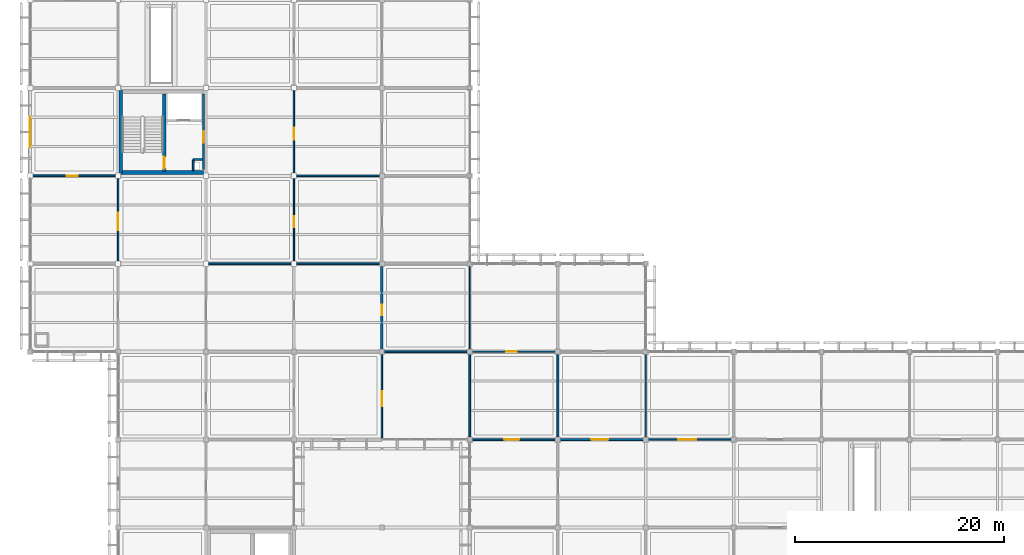
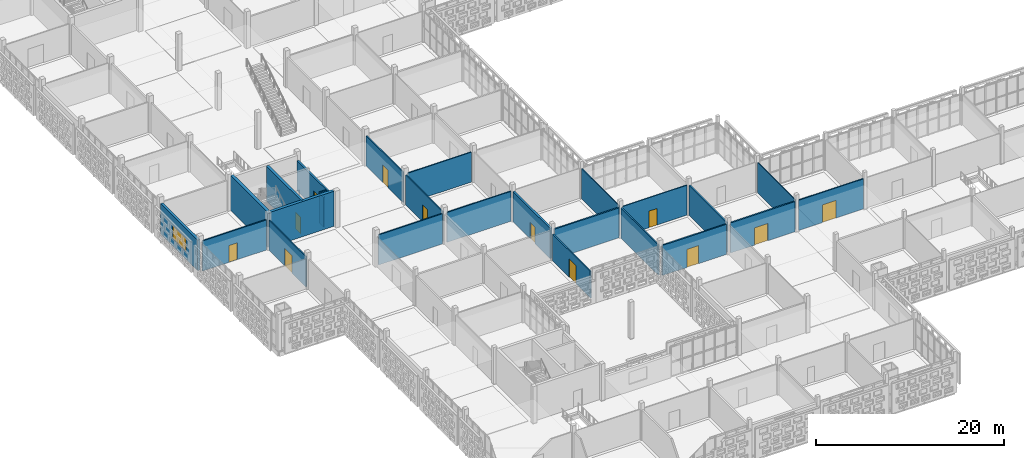
# One storey, part 115 of 203: 25 walls, 12 doors, 1 window, 13 openings.
"""IFC4 building model written with IfcOpenShell, lengths in metres."""

from ifc_helpers import new_model, si_unit, direction, frame, frame_2d, origin, place, context, subcontext, project, spatial, rectangle, extrude, material, layer, layer_set, type_object, element, fill, save


model = new_model("IFC4")

# Units and contexts
model_context = context("Model", 3, precision=1e-05, world=origin(), true_north=direction((0.0, 1.0)))
body_context = subcontext(model_context, "Body", "Model", "MODEL_VIEW")
ifc_project = project(units=[si_unit("LENGTHUNIT", "METRE"), si_unit("AREAUNIT", "SQUARE_METRE"), si_unit("VOLUMEUNIT", "CUBIC_METRE"), si_unit("PLANEANGLEUNIT", "RADIAN"), si_unit("MASSUNIT", "GRAM", prefix="KILO")], contexts=[model_context])

# Site, building, storey
site_placement = place(None, origin())
site = spatial("IfcSite", under=ifc_project, at=site_placement, CompositionType="ELEMENT")
building_placement = place(site_placement, origin())
building = spatial("IfcBuilding", under=site, at=building_placement, Name="Varnapada Polytechnic", CompositionType="ELEMENT")
storey_placement = place(building_placement, frame((0.0, 0.0, 4.800048828125)))
storey = spatial("IfcBuildingStorey", under=building, at=storey_placement, Name="L01", CompositionType="ELEMENT", Elevation=4.800048828125)

# Wall, opening, door
ifc_material_1 = material(Name="Autoclaved Aerated Concrete Block AAC-600", Category="concrete")
ifc_layer_1 = layer(ifc_material_1, 0.199951171875)
ifc_layer_set_1 = layer_set([ifc_layer_1], Name="Autoclaved Aerated Concrete Block AAC-600")
wall_type_1 = type_object("IfcWallType", Name="Interior Wall IW-01", PredefinedType="PARTITIONING", material=ifc_layer_set_1)
wall_1_placement = place(storey_placement, frame((16.5400390625, 66.60009765625, 0.0), z_axis=(0.0, 0.0, 1.0), x_axis=(0.0, -1.0, 0.0)))
wall_1 = element("IfcWall", 1, at=wall_1_placement, inside=storey, type_object=wall_type_1, Name="L01 C2 firefighting lobby east wall", PredefinedType="PARTITIONING", context=body_context, shape_type="SweptSolid", body=[
    extrude(rectangle(XDim=7.2001953125, YDim=0.199951171875, at=frame_2d((3.60009765625, 0.0))), origin(), (0.0, 0.0, 1.0), 3.919921875),
])
opening_1_placement = place(wall_1_placement, frame((3.550048828125, 0.0, 0.0)))
opening_1 = element("IfcOpeningElement", 2, at=opening_1_placement, cuts=wall_1, Name="Opening D-945", PredefinedType="OPENING", context=body_context, shape_type="SweptSolid", body=[
    extrude(rectangle(XDim=1.10009765625, YDim=2.14990234375, at=frame_2d((0.550048828125, 1.074951171875))), frame((0.0, 0.10986328125, 0.0), z_axis=(0.0, -1.0, 0.0), x_axis=(1.0, 0.0, 0.0)), (0.0, 0.0, 1.0), 0.219970703125),
])
ifc_material_2 = material(Name="Galvanized Steel Z275", Category="steel")
door_type_1 = type_object("IfcDoorType", Name="Interior Door ID-01", OperationType="NOTDEFINED", PredefinedType="DOOR", material=ifc_material_2)
door_1_placement = place(opening_1_placement, frame((1.10009765625, 0.0, 0.0), z_axis=(0.0, 0.0, 1.0), x_axis=(-1.0, 0.0, 0.0)))
door_1 = element("IfcDoor", 3, at=door_1_placement, inside=storey, type_object=door_type_1, Name="L01 C2 lobby fire door D-945", OperationType="SINGLE_SWING_LEFT", OverallHeight=2.14990234375, OverallWidth=1.10009765625, PredefinedType="DOOR", context=body_context, shape_type="SweptSolid", body=[
    extrude(rectangle(XDim=1.10009765625, YDim=2.14990234375, at=frame_2d((0.550048828125, 1.074951171875))), frame((0.0, 0.02490234375, 0.0), z_axis=(0.0, -1.0, 0.0), x_axis=(1.0, 0.0, 0.0)), (0.0, 0.0, 1.0), 0.050048828125),
])
fill(opening_1, door_1)

# Walls
ifc_layer_2 = layer(ifc_material_1, 0.14990234375)
ifc_layer_set_2 = layer_set([ifc_layer_2], Name="Autoclaved Aerated Concrete Block AAC-600")
wall_type_2 = type_object("IfcWallType", Name="Interior Wall IW-02", PredefinedType="PARTITIONING", material=ifc_layer_set_2)
wall_2_placement = place(storey_placement, frame((15.580078125, 60.360107421875, 0.0), z_axis=(0.0, 0.0, 1.0), x_axis=(0.0, -1.0, 0.0)))
element("IfcWall", 4, at=wall_2_placement, inside=storey, type_object=wall_type_2, Name="L01 C2 riser shaft west wall", PredefinedType="PARTITIONING", context=body_context, shape_type="SweptSolid", body=[
    extrude(rectangle(XDim=1.06005859375, YDim=0.14990234375, at=frame_2d((0.530029296875, 0.0))), origin(), (0.0, 0.0, 1.0), 3.919921875),
])
wall_3_placement = place(storey_placement, frame((15.580078125, 60.360107421875, 0.0), z_axis=(0.0, 0.0, 1.0), x_axis=(1.0, 0.0, 0.0)))
element("IfcWall", 5, at=wall_3_placement, inside=storey, type_object=wall_type_2, Name="L01 C2 riser shaft north wall", PredefinedType="PARTITIONING", context=body_context, shape_type="SweptSolid", body=[
    extrude(rectangle(XDim=0.85986328125, YDim=0.14990234375, at=frame_2d((0.429931640625, 0.0))), origin(), (0.0, 0.0, 1.0), 3.919921875),
])
wall_4_placement = place(storey_placement, frame((17.080078125, 50.39990234375, 0.0), z_axis=(0.0, 0.0, 1.0), x_axis=(1.0, 0.0, 0.0)))
element("IfcWall", 6, at=wall_4_placement, inside=storey, type_object=wall_type_2, Name="L01 interior partition IW-L01-02-05-H", PredefinedType="PARTITIONING", context=body_context, shape_type="SweptSolid", body=[
    extrude(rectangle(XDim=7.83984375, YDim=0.14990234375, at=frame_2d((3.919921875, 0.0))), origin(), (0.0, 0.0, 1.0), 3.919921875),
])
wall_5_placement = place(storey_placement, frame((25.47998046875, 50.39990234375, 0.0), z_axis=(0.0, 0.0, 1.0), x_axis=(1.0, 0.0, 0.0)))
element("IfcWall", 7, at=wall_5_placement, inside=storey, type_object=wall_type_2, Name="L01 interior partition IW-L01-03-05-H", PredefinedType="PARTITIONING", context=body_context, shape_type="SweptSolid", body=[
    extrude(rectangle(XDim=7.8701171875, YDim=0.14990234375, at=frame_2d((3.93505859375, 0.0))), origin(), (0.0, 0.0, 1.0), 3.889892578125),
])

# Wall, opening, door
ifc_material_3 = material(Name="Gypsum Plasterboard Acoustic Partition")
ifc_layer_3 = layer(ifc_material_3, 0.125)
ifc_layer_set_3 = layer_set([ifc_layer_3], Name="Gypsum Plasterboard Acoustic Partition")
wall_type_3 = type_object("IfcWallType", Name="Interior Wall IW-03", PredefinedType="PARTITIONING", material=ifc_layer_set_3)
wall_6_placement = place(storey_placement, frame((25.199951171875, 50.679931640625, 0.0), z_axis=(0.0, 0.0, 1.0), x_axis=(0.0, 1.0, 0.0)))
wall_6 = element("IfcWall", 8, at=wall_6_placement, inside=storey, type_object=wall_type_3, Name="L01 interior partition IW-L01-02-06-V", PredefinedType="PARTITIONING", context=body_context, shape_type="SweptSolid", body=[
    extrude(rectangle(XDim=7.840087890625, YDim=0.125, at=frame_2d((3.919921875, 0.0))), origin(), (0.0, 0.0, 1.0), 3.919921875),
])
opening_2_placement = place(wall_6_placement, frame((3.22509765625, 0.0, 0.0)))
opening_2 = element("IfcOpeningElement", 9, at=opening_2_placement, cuts=wall_6, Name="Opening D-976", PredefinedType="OPENING", context=body_context, shape_type="SweptSolid", body=[
    extrude(rectangle(XDim=1.050048828125, YDim=2.199951171875, at=frame_2d((0.52490234375, 1.10009765625))), frame((0.0, 0.072509765625, 0.0), z_axis=(0.0, -1.0, 0.0), x_axis=(1.0, 0.0, 0.0)), (0.0, 0.0, 1.0), 0.14501953125),
])
ifc_material_4 = material(Name="Solid Teak Hardwood Timber", Category="wood")
door_type_2 = type_object("IfcDoorType", Name="Interior Door ID-09", OperationType="NOTDEFINED", PredefinedType="DOOR", material=ifc_material_4)
door_2_placement = place(opening_2_placement, origin())
door_2 = element("IfcDoor", 10, at=door_2_placement, inside=storey, type_object=door_type_2, Name="L01 interior room door D-976", OperationType="SINGLE_SWING_LEFT", OverallHeight=2.199951171875, OverallWidth=1.050048828125, PredefinedType="DOOR", context=body_context, shape_type="SweptSolid", body=[
    extrude(rectangle(XDim=1.050048828125, YDim=2.199951171875, at=frame_2d((0.52490234375, 1.10009765625))), frame((0.0, 0.02490234375, 0.0), z_axis=(0.0, -1.0, 0.0), x_axis=(1.0, 0.0, 0.0)), (0.0, 0.0, 1.0), 0.050048828125),
])
fill(opening_2, door_2)

ifc_material_5 = material(Name="Moisture-Resistant Cement Board Partition")
ifc_layer_4 = layer(ifc_material_5, 0.139892578125)
ifc_layer_set_4 = layer_set([ifc_layer_4], Name="Moisture-Resistant Cement Board Partition")
wall_type_4 = type_object("IfcWallType", Name="Interior Wall IW-04", PredefinedType="PARTITIONING", material=ifc_layer_set_4)
wall_7_placement = place(storey_placement, frame((8.39990234375, 50.679931640625, 0.0), z_axis=(0.0, 0.0, 1.0), x_axis=(0.0, 1.0, 0.0)))
wall_7 = element("IfcWall", 11, at=wall_7_placement, inside=storey, type_object=wall_type_4, Name="L01 interior partition IW-L01-00-06-V", PredefinedType="PARTITIONING", context=body_context, shape_type="SweptSolid", body=[
    extrude(rectangle(XDim=7.840087890625, YDim=0.139892578125, at=frame_2d((3.919921875, 0.0))), origin(), (0.0, 0.0, 1.0), 3.919921875),
])
opening_3_placement = place(wall_7_placement, frame((2.925048828125, 0.0, 0.0)))
opening_3 = element("IfcOpeningElement", 12, at=opening_3_placement, cuts=wall_7, Name="Opening D-958", PredefinedType="OPENING", context=body_context, shape_type="SweptSolid", body=[
    extrude(rectangle(XDim=1.64990234375, YDim=2.25, at=frame_2d((0.824951171875, 1.125))), frame((0.0, 0.079833984375, 0.0), z_axis=(0.0, -1.0, 0.0), x_axis=(1.0, 0.0, 0.0)), (0.0, 0.0, 1.0), 0.159912109375),
])
door_type_3 = type_object("IfcDoorType", Name="Interior Door ID-08", OperationType="NOTDEFINED", PredefinedType="DOOR", material=ifc_material_4)
door_3_placement = place(opening_3_placement, origin())
door_3 = element("IfcDoor", 13, at=door_3_placement, inside=storey, type_object=door_type_3, Name="L01 interior room door D-958", OperationType="SINGLE_SWING_LEFT", OverallHeight=2.25, OverallWidth=1.64990234375, PredefinedType="DOOR", context=body_context, shape_type="SweptSolid", body=[
    extrude(rectangle(XDim=1.64990234375, YDim=2.25, at=frame_2d((0.824951171875, 1.125))), frame((0.0, 0.02490234375, 0.0), z_axis=(0.0, -1.0, 0.0), x_axis=(1.0, 0.0, 0.0)), (0.0, 0.0, 1.0), 0.050048828125),
])
fill(opening_3, door_3)

wall_8_placement = place(storey_placement, frame((25.199951171875, 59.080078125, 0.0), z_axis=(0.0, 0.0, 1.0), x_axis=(0.0, 1.0, 0.0)))
wall_8 = element("IfcWall", 14, at=wall_8_placement, inside=storey, type_object=wall_type_4, Name="L01 interior partition IW-L01-02-07-V", PredefinedType="PARTITIONING", context=body_context, shape_type="SweptSolid", body=[
    extrude(rectangle(XDim=7.83984375, YDim=0.139892578125, at=frame_2d((3.919921875, 0.0))), origin(), (0.0, 0.0, 1.0), 3.919921875),
])
opening_4_placement = place(wall_8_placement, frame((3.175048828125, 0.0, 0.0)))
opening_4 = element("IfcOpeningElement", 15, at=opening_4_placement, cuts=wall_8, Name="Opening D-977", PredefinedType="OPENING", context=body_context, shape_type="SweptSolid", body=[
    extrude(rectangle(XDim=1.14990234375, YDim=2.25, at=frame_2d((0.574951171875, 1.125))), frame((0.0, 0.079833984375, 0.0), z_axis=(0.0, -1.0, 0.0), x_axis=(1.0, 0.0, 0.0)), (0.0, 0.0, 1.0), 0.159912109375),
])
ifc_material_6 = material(Name="Powder-Coated Aluminium 6063-T6", Category="aluminium")
door_type_4 = type_object("IfcDoorType", Name="Interior Door ID-10", OperationType="NOTDEFINED", PredefinedType="DOOR", material=ifc_material_6)
door_4_placement = place(opening_4_placement, frame((1.14990234375, 0.0, 0.0), z_axis=(0.0, 0.0, 1.0), x_axis=(-1.0, 0.0, 0.0)))
door_4 = element("IfcDoor", 16, at=door_4_placement, inside=storey, type_object=door_type_4, Name="L01 interior room door D-977", OperationType="SINGLE_SWING_RIGHT", OverallHeight=2.25, OverallWidth=1.14990234375, PredefinedType="DOOR", context=body_context, shape_type="SweptSolid", body=[
    extrude(rectangle(XDim=1.14990234375, YDim=2.25, at=frame_2d((0.574951171875, 1.125))), frame((0.0, 0.02490234375, 0.0), z_axis=(0.0, -1.0, 0.0), x_axis=(1.0, 0.0, 0.0)), (0.0, 0.0, 1.0), 0.050048828125),
])
fill(opening_4, door_4)

# Wall
wall_9_placement = place(storey_placement, frame((25.47998046875, 58.800048828125, 0.0), z_axis=(0.0, 0.0, 1.0), x_axis=(1.0, 0.0, 0.0)))
element("IfcWall", 17, at=wall_9_placement, inside=storey, type_object=wall_type_4, Name="L01 interior partition IW-L01-03-06-H", PredefinedType="PARTITIONING", context=body_context, shape_type="SweptSolid", body=[
    extrude(rectangle(XDim=7.860107421875, YDim=0.139892578125, at=frame_2d((3.93017578125, 0.0))), origin(), (0.0, 0.0, 1.0), 3.889892578125),
])

# Wall, opening, door
ifc_material_7 = material(Name="Cross-laminated timber CLT C24", Category="wood")
ifc_layer_5 = layer(ifc_material_7, 0.159912109375)
ifc_layer_set_5 = layer_set([ifc_layer_5], Name="Cross-laminated timber CLT C24")
wall_type_5 = type_object("IfcWallType", Name="Interior Wall IW-05", PredefinedType="PARTITIONING", material=ifc_layer_set_5)
wall_10_placement = place(storey_placement, frame((0.280029296875, 58.800048828125, 0.0), z_axis=(0.0, 0.0, 1.0), x_axis=(1.0, 0.0, 0.0)))
wall_10 = element("IfcWall", 18, at=wall_10_placement, inside=storey, type_object=wall_type_5, Name="L01 interior partition IW-L01-00-06-H", PredefinedType="PARTITIONING", context=body_context, shape_type="SweptSolid", body=[
    extrude(rectangle(XDim=7.840087890625, YDim=0.159912109375, at=frame_2d((3.919921875, 0.0))), origin(), (0.0, 0.0, 1.0), 3.919921875),
])
opening_5_placement = place(wall_10_placement, frame((3.22509765625, 0.0, 0.0)))
opening_5 = element("IfcOpeningElement", 19, at=opening_5_placement, cuts=wall_10, Name="Opening D-959", PredefinedType="OPENING", context=body_context, shape_type="SweptSolid", body=[
    extrude(rectangle(XDim=1.050048828125, YDim=2.199951171875, at=frame_2d((0.52490234375, 1.10009765625))), frame((0.0, 0.08984375, 0.0), z_axis=(0.0, -1.0, 0.0), x_axis=(1.0, 0.0, 0.0)), (0.0, 0.0, 1.0), 0.179931640625),
])
door_5_placement = place(opening_5_placement, frame((1.050048828125, 0.0, 0.0), z_axis=(0.0, 0.0, 1.0), x_axis=(-1.0, 0.0, 0.0)))
door_5 = element("IfcDoor", 20, at=door_5_placement, inside=storey, type_object=door_type_2, Name="L01 interior room door D-959", OperationType="SINGLE_SWING_RIGHT", OverallHeight=2.199951171875, OverallWidth=1.050048828125, PredefinedType="DOOR", context=body_context, shape_type="SweptSolid", body=[
    extrude(rectangle(XDim=1.050048828125, YDim=2.199951171875, at=frame_2d((0.52490234375, 1.10009765625))), frame((0.0, 0.02490234375, 0.0), z_axis=(0.0, -1.0, 0.0), x_axis=(1.0, 0.0, 0.0)), (0.0, 0.0, 1.0), 0.050048828125),
])
fill(opening_5, door_5)

# Walls
wall_11_placement = place(storey_placement, frame((42.0, 33.85009765625, 0.0), z_axis=(0.0, 0.0, 1.0), x_axis=(0.0, 1.0, 0.0)))
element("IfcWall", 21, at=wall_11_placement, inside=storey, type_object=wall_type_5, Name="L01 interior partition IW-L01-04-04-V", PredefinedType="PARTITIONING", context=body_context, shape_type="SweptSolid", body=[
    extrude(rectangle(XDim=7.919921875, YDim=0.159912109375, at=frame_2d((3.9599609375, 0.0))), origin(), (0.0, 0.0, 1.0), 3.919921875),
])
ifc_material_8 = material(Name="Acoustic Double-Stud Studio Partition")
ifc_layer_6 = layer(ifc_material_8, 0.179931640625)
ifc_layer_set_6 = layer_set([ifc_layer_6], Name="Acoustic Double-Stud Studio Partition")
wall_type_6 = type_object("IfcWallType", Name="Interior Wall IW-06", PredefinedType="PARTITIONING", material=ifc_layer_set_6)
wall_12_placement = place(storey_placement, frame((33.830078125, 42.0, 0.0), z_axis=(0.0, 0.0, 1.0), x_axis=(1.0, 0.0, 0.0)))
element("IfcWall", 22, at=wall_12_placement, inside=storey, type_object=wall_type_6, Name="L01 interior partition IW-L01-04-04-H", PredefinedType="PARTITIONING", context=body_context, shape_type="SweptSolid", body=[
    extrude(rectangle(XDim=7.93994140625, YDim=0.179931640625, at=frame_2d((3.969970703125, 0.0))), origin(), (0.0, 0.0, 1.0), 3.889892578125),
])

# Wall, opening, door
wall_13_placement = place(storey_placement, frame((50.64990234375, 33.60009765625, 0.0), z_axis=(0.0, 0.0, 1.0), x_axis=(1.0, 0.0, 0.0)))
wall_13 = element("IfcWall", 23, at=wall_13_placement, inside=storey, type_object=wall_type_6, Name="L01 interior partition IW-L01-06-03-H", PredefinedType="PARTITIONING", context=body_context, shape_type="SweptSolid", body=[
    extrude(rectangle(XDim=7.920166015625, YDim=0.179931640625, at=frame_2d((3.9599609375, 0.0))), origin(), (0.0, 0.0, 1.0), 3.919921875),
])
opening_6_placement = place(wall_13_placement, frame((2.925048828125, 0.0, 0.0)))
opening_6 = element("IfcOpeningElement", 24, at=opening_6_placement, cuts=wall_13, Name="Opening D-1009", PredefinedType="OPENING", context=body_context, shape_type="SweptSolid", body=[
    extrude(rectangle(XDim=1.64990234375, YDim=2.25, at=frame_2d((0.824951171875, 1.125))), frame((0.0, 0.099853515625, 0.0), z_axis=(0.0, -1.0, 0.0), x_axis=(1.0, 0.0, 0.0)), (0.0, 0.0, 1.0), 0.199951171875),
])
door_6_placement = place(opening_6_placement, origin())
door_6 = element("IfcDoor", 25, at=door_6_placement, inside=storey, type_object=door_type_3, Name="L01 interior room door D-1009", OperationType="SINGLE_SWING_RIGHT", OverallHeight=2.25, OverallWidth=1.64990234375, PredefinedType="DOOR", context=body_context, shape_type="SweptSolid", body=[
    extrude(rectangle(XDim=1.64990234375, YDim=2.25, at=frame_2d((0.824951171875, 1.125))), frame((0.0, 0.02490234375, 0.0), z_axis=(0.0, -1.0, 0.0), x_axis=(1.0, 0.0, 0.0)), (0.0, 0.0, 1.0), 0.050048828125),
])
fill(opening_6, door_6)

# Walls
ifc_material_9 = material(Name="Glazed Timber-Framed Studio Screen", Category="wood")
ifc_layer_7 = layer(ifc_material_9, 0.110107421875)
ifc_layer_set_7 = layer_set([ifc_layer_7], Name="Glazed Timber-Framed Studio Screen")
wall_type_7 = type_object("IfcWallType", Name="Interior Wall IW-07", PredefinedType="PARTITIONING", material=ifc_layer_set_7)
wall_14_placement = place(storey_placement, frame((42.0, 42.22998046875, 0.0), z_axis=(0.0, 0.0, 1.0), x_axis=(0.0, 1.0, 0.0)))
element("IfcWall", 26, at=wall_14_placement, inside=storey, type_object=wall_type_7, Name="L01 interior partition IW-L01-04-05-V", PredefinedType="PARTITIONING", context=body_context, shape_type="SweptSolid", body=[
    extrude(rectangle(XDim=7.969970703125, YDim=0.110107421875, at=frame_2d((3.98486328125, 0.0))), origin(), (0.0, 0.0, 1.0), 3.919921875),
])
wall_15_placement = place(storey_placement, frame((58.800048828125, 33.830078125, 0.0), z_axis=(0.0, 0.0, 1.0), x_axis=(0.0, 1.0, 0.0)))
element("IfcWall", 27, at=wall_15_placement, inside=storey, type_object=wall_type_7, Name="L01 interior partition IW-L01-06-04-V", PredefinedType="PARTITIONING", context=body_context, shape_type="SweptSolid", body=[
    extrude(rectangle(XDim=7.93994140625, YDim=0.110107421875, at=frame_2d((3.969970703125, 0.0))), origin(), (0.0, 0.0, 1.0), 3.919921875),
])

# Wall, opening, door
ifc_material_10 = material(Name="Double-Layer Fireboard Workshop Wall")
ifc_layer_8 = layer(ifc_material_10, 0.169921875)
ifc_layer_set_8 = layer_set([ifc_layer_8], Name="Double-Layer Fireboard Workshop Wall")
wall_type_8 = type_object("IfcWallType", Name="Interior Wall IW-10", PredefinedType="PARTITIONING", material=ifc_layer_set_8)
wall_16_placement = place(storey_placement, frame((42.25, 33.60009765625, 0.0), z_axis=(0.0, 0.0, 1.0), x_axis=(1.0, 0.0, 0.0)))
wall_16 = element("IfcWall", 28, at=wall_16_placement, inside=storey, type_object=wall_type_8, Name="L01 interior partition IW-L01-05-03-H", PredefinedType="PARTITIONING", context=body_context, shape_type="SweptSolid", body=[
    extrude(rectangle(XDim=7.89990234375, YDim=0.169921875, at=frame_2d((3.949951171875, 0.0))), origin(), (0.0, 0.0, 1.0), 3.919921875),
])
opening_7_placement = place(wall_16_placement, frame((3.02490234375, 0.0, 0.0)))
opening_7 = element("IfcOpeningElement", 29, at=opening_7_placement, cuts=wall_16, Name="Opening D-1002", PredefinedType="OPENING", context=body_context, shape_type="SweptSolid", body=[
    extrude(rectangle(XDim=1.449951171875, YDim=2.35009765625, at=frame_2d((0.72509765625, 1.175048828125))), frame((0.0, 0.094970703125, 0.0), z_axis=(0.0, -1.0, 0.0), x_axis=(1.0, 0.0, 0.0)), (0.0, 0.0, 1.0), 0.18994140625),
])
door_type_5 = type_object("IfcDoorType", Name="Interior Door ID-18", OperationType="NOTDEFINED", PredefinedType="DOOR", material=ifc_material_2)
door_7_placement = place(opening_7_placement, origin())
door_7 = element("IfcDoor", 30, at=door_7_placement, inside=storey, type_object=door_type_5, Name="L01 interior room door D-1002", OperationType="SINGLE_SWING_LEFT", OverallHeight=2.35009765625, OverallWidth=1.449951171875, PredefinedType="DOOR", context=body_context, shape_type="SweptSolid", body=[
    extrude(rectangle(XDim=1.449951171875, YDim=2.35009765625, at=frame_2d((0.72509765625, 1.175048828125))), frame((0.0, 0.02490234375, 0.0), z_axis=(0.0, -1.0, 0.0), x_axis=(1.0, 0.0, 0.0)), (0.0, 0.0, 1.0), 0.050048828125),
])
fill(opening_7, door_7)

# Wall
ifc_material_11 = material(Name="Insulated Masonry Plant Room Wall", Category="masonry")
ifc_layer_9 = layer(ifc_material_11, 0.18994140625)
ifc_layer_set_9 = layer_set([ifc_layer_9], Name="Insulated Masonry Plant Room Wall")
wall_type_9 = type_object("IfcWallType", Name="Interior Wall IW-11", PredefinedType="PARTITIONING", material=ifc_layer_set_9)
wall_17_placement = place(storey_placement, frame((50.39990234375, 33.85009765625, 0.0), z_axis=(0.0, 0.0, 1.0), x_axis=(0.0, 1.0, 0.0)))
element("IfcWall", 31, at=wall_17_placement, inside=storey, type_object=wall_type_9, Name="L01 interior partition IW-L01-05-04-V", PredefinedType="PARTITIONING", context=body_context, shape_type="SweptSolid", body=[
    extrude(rectangle(XDim=7.919921875, YDim=0.18994140625, at=frame_2d((3.9599609375, 0.0))), origin(), (0.0, 0.0, 1.0), 3.919921875),
])

# Wall, opening, door
ifc_material_12 = material(Name="Timber-Stud Studio Critique Partition", Category="wood")
ifc_layer_10 = layer(ifc_material_12, 0.114990234375)
ifc_layer_set_10 = layer_set([ifc_layer_10], Name="Timber-Stud Studio Critique Partition")
wall_type_10 = type_object("IfcWallType", Name="Interior Wall IW-12", PredefinedType="PARTITIONING", material=ifc_layer_set_10)
wall_18_placement = place(storey_placement, frame((42.22998046875, 42.0, 0.0), z_axis=(0.0, 0.0, 1.0), x_axis=(1.0, 0.0, 0.0)))
wall_18 = element("IfcWall", 32, at=wall_18_placement, inside=storey, type_object=wall_type_10, Name="L01 interior partition IW-L01-05-04-H", PredefinedType="PARTITIONING", context=body_context, shape_type="SweptSolid", body=[
    extrude(rectangle(XDim=7.93994140625, YDim=0.114990234375, at=frame_2d((3.969970703125, 0.0))), origin(), (0.0, 0.0, 1.0), 3.889892578125),
])
opening_8_placement = place(wall_18_placement, frame((3.25, 0.0, 0.0)))
opening_8 = element("IfcOpeningElement", 33, at=opening_8_placement, cuts=wall_18, Name="Opening D-1003", PredefinedType="OPENING", context=body_context, shape_type="SweptSolid", body=[
    extrude(rectangle(XDim=1.0, YDim=2.14990234375, at=frame_2d((0.5, 1.074951171875))), frame((0.0, 0.0673828125, 0.0), z_axis=(0.0, -1.0, 0.0), x_axis=(1.0, 0.0, 0.0)), (0.0, 0.0, 1.0), 0.135009765625),
])
door_type_6 = type_object("IfcDoorType", Name="Interior Door ID-02", OperationType="NOTDEFINED", PredefinedType="DOOR", material=ifc_material_4)
door_8_placement = place(opening_8_placement, origin())
door_8 = element("IfcDoor", 34, at=door_8_placement, inside=storey, type_object=door_type_6, Name="L01 interior room door D-1003", OperationType="SINGLE_SWING_RIGHT", OverallHeight=2.14990234375, OverallWidth=1.0, PredefinedType="DOOR", context=body_context, shape_type="SweptSolid", body=[
    extrude(rectangle(XDim=1.0, YDim=2.14990234375, at=frame_2d((0.5, 1.074951171875))), frame((0.0, 0.02490234375, 0.0), z_axis=(0.0, -1.0, 0.0), x_axis=(1.0, 0.0, 0.0)), (0.0, 0.0, 1.0), 0.050048828125),
])
fill(opening_8, door_8)

ifc_material_13 = material(Name="Ceramic-Tiled Wet Laboratory Wall")
ifc_layer_11 = layer(ifc_material_13, 0.14501953125)
ifc_layer_set_11 = layer_set([ifc_layer_11], Name="Ceramic-Tiled Wet Laboratory Wall")
wall_type_11 = type_object("IfcWallType", Name="Interior Wall IW-14", PredefinedType="PARTITIONING", material=ifc_layer_set_11)
wall_19_placement = place(storey_placement, frame((59.030029296875, 33.60009765625, 0.0), z_axis=(0.0, 0.0, 1.0), x_axis=(1.0, 0.0, 0.0)))
wall_19 = element("IfcWall", 35, at=wall_19_placement, inside=storey, type_object=wall_type_11, Name="L01 interior partition IW-L01-07-03-H", PredefinedType="PARTITIONING", context=body_context, shape_type="SweptSolid", body=[
    extrude(rectangle(XDim=7.9599609375, YDim=0.14501953125, at=frame_2d((3.97998046875, 0.0))), origin(), (0.0, 0.0, 1.0), 3.919921875),
])
opening_9_placement = place(wall_19_placement, frame((2.89990234375, 0.0, 0.0)))
opening_9 = element("IfcOpeningElement", 36, at=opening_9_placement, cuts=wall_19, Name="Opening D-1014", PredefinedType="OPENING", context=body_context, shape_type="SweptSolid", body=[
    extrude(rectangle(XDim=1.699951171875, YDim=2.300048828125, at=frame_2d((0.85009765625, 1.14990234375))), frame((0.0, 0.08251953125, 0.0), z_axis=(0.0, -1.0, 0.0), x_axis=(1.0, 0.0, 0.0)), (0.0, 0.0, 1.0), 0.1650390625),
])
ifc_material_14 = material(Name="Acoustic Double Timber Leaf", Category="wood")
door_type_7 = type_object("IfcDoorType", Name="Interior Door ID-13", OperationType="NOTDEFINED", PredefinedType="DOOR", material=ifc_material_14)
door_9_placement = place(opening_9_placement, origin())
door_9 = element("IfcDoor", 37, at=door_9_placement, inside=storey, type_object=door_type_7, Name="L01 interior room door D-1014", OperationType="SINGLE_SWING_LEFT", OverallHeight=2.300048828125, OverallWidth=1.699951171875, PredefinedType="DOOR", context=body_context, shape_type="SweptSolid", body=[
    extrude(rectangle(XDim=1.699951171875, YDim=2.300048828125, at=frame_2d((0.85009765625, 1.14990234375))), frame((0.0, 0.02490234375, 0.0), z_axis=(0.0, -1.0, 0.0), x_axis=(1.0, 0.0, 0.0)), (0.0, 0.0, 1.0), 0.050048828125),
])
fill(opening_9, door_9)

ifc_material_15 = material(Name="Perforated Timber-Lined Seminar Wall", Category="wood")
ifc_layer_12 = layer(ifc_material_15, 0.155029296875)
ifc_layer_set_12 = layer_set([ifc_layer_12], Name="Perforated Timber-Lined Seminar Wall")
wall_type_12 = type_object("IfcWallType", Name="Interior Wall IW-15", PredefinedType="PARTITIONING", material=ifc_layer_set_12)
wall_20_placement = place(storey_placement, frame((33.60009765625, 33.7451171875, 0.0), z_axis=(0.0, 0.0, 1.0), x_axis=(0.0, 1.0, 0.0)))
wall_20 = element("IfcWall", 38, at=wall_20_placement, inside=storey, type_object=wall_type_12, Name="L01 interior partition IW-L01-03-04-V", PredefinedType="PARTITIONING", context=body_context, shape_type="SweptSolid", body=[
    extrude(rectangle(XDim=8.02490234375, YDim=0.155029296875, at=frame_2d((4.012451171875, 0.0))), origin(), (0.0, 0.0, 1.0), 3.449951171875),
])
opening_10_placement = place(wall_20_placement, frame((3.02490234375, 0.0, 0.0)))
opening_10 = element("IfcOpeningElement", 39, at=opening_10_placement, cuts=wall_20, Name="Opening D-985", PredefinedType="OPENING", context=body_context, shape_type="SweptSolid", body=[
    extrude(rectangle(XDim=1.449951171875, YDim=2.35009765625, at=frame_2d((0.72509765625, 1.175048828125))), frame((0.0, 0.08740234375, 0.0), z_axis=(0.0, -1.0, 0.0), x_axis=(1.0, 0.0, 0.0)), (0.0, 0.0, 1.0), 0.175048828125),
])
door_10_placement = place(opening_10_placement, origin())
door_10 = element("IfcDoor", 40, at=door_10_placement, inside=storey, type_object=door_type_5, Name="L01 interior room door D-985", OperationType="SINGLE_SWING_RIGHT", OverallHeight=2.35009765625, OverallWidth=1.449951171875, PredefinedType="DOOR", context=body_context, shape_type="SweptSolid", body=[
    extrude(rectangle(XDim=1.449951171875, YDim=2.35009765625, at=frame_2d((0.72509765625, 1.175048828125))), frame((0.0, 0.02490234375, 0.0), z_axis=(0.0, -1.0, 0.0), x_axis=(1.0, 0.0, 0.0)), (0.0, 0.0, 1.0), 0.050048828125),
])
fill(opening_10, door_10)

ifc_material_16 = material(Name="Double-Leaf Acoustic Lecture Wall")
ifc_layer_13 = layer(ifc_material_16, 0.235107421875)
ifc_layer_set_13 = layer_set([ifc_layer_13], Name="Double-Leaf Acoustic Lecture Wall")
wall_type_13 = type_object("IfcWallType", Name="Interior Wall IW-17", PredefinedType="PARTITIONING", material=ifc_layer_set_13)
wall_21_placement = place(storey_placement, frame((33.60009765625, 42.22998046875, 0.0), z_axis=(0.0, 0.0, 1.0), x_axis=(0.0, 1.0, 0.0)))
wall_21 = element("IfcWall", 41, at=wall_21_placement, inside=storey, type_object=wall_type_13, Name="L01 interior partition IW-L01-03-05-V", PredefinedType="PARTITIONING", context=body_context, shape_type="SweptSolid", body=[
    extrude(rectangle(XDim=7.919921875, YDim=0.235107421875, at=frame_2d((3.9599609375, 0.0))), origin(), (0.0, 0.0, 1.0), 3.919921875),
])
opening_11_placement = place(wall_21_placement, frame((3.25, 0.0, 0.0)))
opening_11 = element("IfcOpeningElement", 42, at=opening_11_placement, cuts=wall_21, Name="Opening D-986", PredefinedType="OPENING", context=body_context, shape_type="SweptSolid", body=[
    extrude(rectangle(XDim=1.0, YDim=2.14990234375, at=frame_2d((0.5, 1.074951171875))), frame((0.0, 0.12744140625, 0.0), z_axis=(0.0, -1.0, 0.0), x_axis=(1.0, 0.0, 0.0)), (0.0, 0.0, 1.0), 0.255126953125),
])
door_11_placement = place(opening_11_placement, frame((1.0, 0.0, 0.0), z_axis=(0.0, 0.0, 1.0), x_axis=(-1.0, 0.0, 0.0)))
door_11 = element("IfcDoor", 43, at=door_11_placement, inside=storey, type_object=door_type_6, Name="L01 interior room door D-986", OperationType="SINGLE_SWING_LEFT", OverallHeight=2.14990234375, OverallWidth=1.0, PredefinedType="DOOR", context=body_context, shape_type="SweptSolid", body=[
    extrude(rectangle(XDim=1.0, YDim=2.14990234375, at=frame_2d((0.5, 1.074951171875))), frame((0.0, 0.02490234375, 0.0), z_axis=(0.0, -1.0, 0.0), x_axis=(1.0, 0.0, 0.0)), (0.0, 0.0, 1.0), 0.050048828125),
])
fill(opening_11, door_11)

# Walls
ifc_material_17 = material(Name="Concrete C40/50", Category="concrete")
ifc_layer_14 = layer(ifc_material_17, 0.35009765625)
ifc_layer_set_14 = layer_set([ifc_layer_14], Name="Concrete C40/50")
wall_type_14 = type_object("IfcWallType", Name="Interior Wall SW-01", PredefinedType="SHEAR", material=ifc_layer_set_14)
wall_22_placement = place(storey_placement, frame((8.6650390625, 59.050048828125, 0.0), z_axis=(0.0, 0.0, 1.0), x_axis=(0.0, 1.0, 0.0)))
element("IfcWall", 44, at=wall_22_placement, inside=storey, type_object=wall_type_14, Name="L01 C2 stair west shear wall", PredefinedType="SHEAR", context=body_context, shape_type="SweptSolid", body=[
    extrude(rectangle(XDim=7.93994140625, YDim=0.35009765625, at=frame_2d((3.969970703125, 0.0))), origin(), (0.0, 0.0, 1.0), 4.56005859375),
])
wall_23_placement = place(storey_placement, frame((16.5400390625, 59.1201171875, 0.0), z_axis=(0.0, 0.0, 1.0), x_axis=(-1.0, 0.0, 0.0)))
element("IfcWall", 45, at=wall_23_placement, inside=storey, type_object=wall_type_14, Name="L01 C2 core south shear wall", PredefinedType="SHEAR", context=body_context, shape_type="SweptSolid", body=[
    extrude(rectangle(XDim=7.875, YDim=0.35009765625, at=frame_2d((3.9375, 0.0))), origin(), (0.0, 0.0, 1.0), 4.56005859375),
])

# Wall, opening, door
ifc_layer_15 = layer(ifc_material_17, 0.300048828125)
ifc_layer_set_15 = layer_set([ifc_layer_15], Name="Concrete C40/50")
wall_type_15 = type_object("IfcWallType", Name="Interior Wall SW-02", PredefinedType="SHEAR", material=ifc_layer_set_15)
wall_24_placement = place(storey_placement, frame((12.81005859375, 59.219970703125, 0.0), z_axis=(0.0, 0.0, 1.0), x_axis=(0.0, 1.0, 0.0)))
wall_24 = element("IfcWall", 46, at=wall_24_placement, inside=storey, type_object=wall_type_15, Name="L01 C2 stair-lobby dividing shear wall", PredefinedType="SHEAR", context=body_context, shape_type="SweptSolid", body=[
    extrude(rectangle(XDim=7.380126953125, YDim=0.300048828125, at=frame_2d((3.68994140625, 0.0))), origin(), (0.0, 0.0, 1.0), 4.56005859375),
])
opening_12_placement = place(wall_24_placement, frame((0.280029296875, 0.0, 0.0)))
opening_12 = element("IfcOpeningElement", 47, at=opening_12_placement, cuts=wall_24, Name="Opening D-946", PredefinedType="OPENING", context=body_context, shape_type="SweptSolid", body=[
    extrude(rectangle(XDim=1.10009765625, YDim=2.14990234375, at=frame_2d((0.550048828125, 1.074951171875))), frame((0.0, 0.159912109375, 0.0), z_axis=(0.0, -1.0, 0.0), x_axis=(1.0, 0.0, 0.0)), (0.0, 0.0, 1.0), 0.320068359375),
])
door_12_placement = place(opening_12_placement, origin())
door_12 = element("IfcDoor", 48, at=door_12_placement, inside=storey, type_object=door_type_1, Name="L01 C2 exit stair door D-946", OperationType="SINGLE_SWING_LEFT", OverallHeight=2.14990234375, OverallWidth=1.10009765625, PredefinedType="DOOR", context=body_context, shape_type="SweptSolid", body=[
    extrude(rectangle(XDim=1.10009765625, YDim=2.14990234375, at=frame_2d((0.550048828125, 1.074951171875))), frame((0.0, 0.02490234375, 0.0), z_axis=(0.0, -1.0, 0.0), x_axis=(1.0, 0.0, 0.0)), (0.0, 0.0, 1.0), 0.050048828125),
])
fill(opening_12, door_12)

# Wall, opening, window
ifc_material_18 = material(Name="Precast concrete C40/50", Category="concrete")
ifc_layer_16 = layer(ifc_material_18, 0.300048828125)
ifc_layer_set_16 = layer_set([ifc_layer_16], Name="Precast concrete C40/50")
wall_type_16 = type_object("IfcWallType", Name="Wall EW-01", PredefinedType="SOLIDWALL", material=ifc_layer_set_16)
wall_25_placement = place(storey_placement, frame((0.0, 59.06005859375, 0.0), z_axis=(0.0, 0.0, 1.0), x_axis=(0.0, 1.0, 0.0)))
wall_25 = element("IfcWall", 49, at=wall_25_placement, inside=storey, type_object=wall_type_16, Name="L01 exterior wall EW-01 (4)", PredefinedType="SOLIDWALL", context=body_context, shape_type="SweptSolid", body=[
    extrude(rectangle(XDim=7.8798828125, YDim=0.300048828125, at=frame_2d((3.93994140625, 0.0))), origin(), (0.0, 0.0, 1.0), 3.9599609375),
])
opening_13_placement = place(wall_25_placement, frame((2.489990234375, 0.0, 0.89990234375)))
opening_13 = element("IfcOpeningElement", 50, at=opening_13_placement, cuts=wall_25, Name="Opening WN-36", PredefinedType="OPENING", context=body_context, shape_type="SweptSolid", body=[
    extrude(rectangle(XDim=2.89990234375, YDim=1.75, at=frame_2d((1.449951171875, 0.875))), frame((0.0, 0.159912109375, 0.0), z_axis=(0.0, -1.0, 0.0), x_axis=(1.0, 0.0, 0.0)), (0.0, 0.0, 1.0), 0.320068359375),
])
ifc_material_19 = material(Name="Double low-E laminated glass", Category="glass")
window_type = type_object("IfcWindowType", Name="Window WN-36", PartitioningType="SINGLE_PANEL", PredefinedType="WINDOW", material=ifc_material_19)
window_placement = place(opening_13_placement, origin())
window = element("IfcWindow", 51, at=window_placement, inside=storey, type_object=window_type, Name="L01 window WN-36 (66)", OverallHeight=1.75, OverallWidth=2.89990234375, PartitioningType="SINGLE_PANEL", PredefinedType="WINDOW", context=body_context, shape_type="SweptSolid", body=[
    extrude(rectangle(XDim=2.89990234375, YDim=1.75, at=frame_2d((1.449951171875, 0.875))), frame((0.0, 0.030029296875, 0.0), z_axis=(0.0, -1.0, 0.0), x_axis=(1.0, 0.0, 0.0)), (0.0, 0.0, 1.0), 0.06005859375),
])
fill(opening_13, window)

save(model, "model.ifc")
